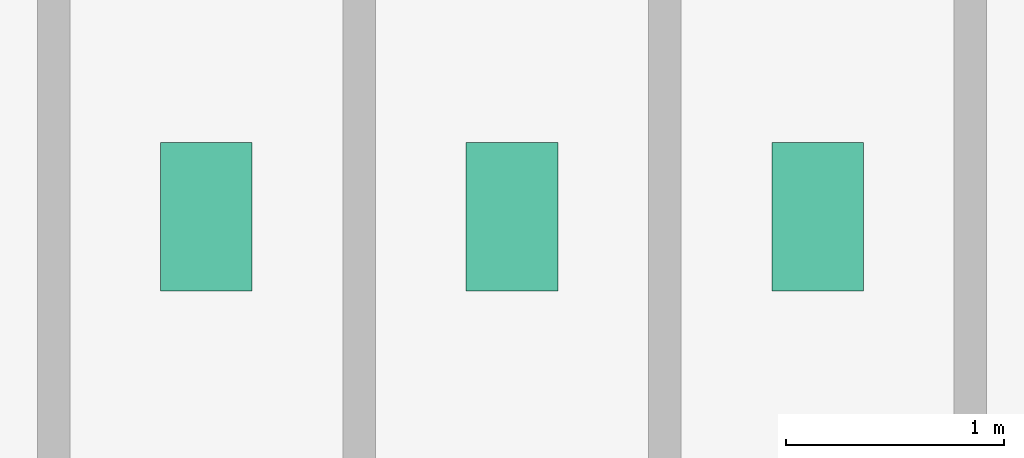
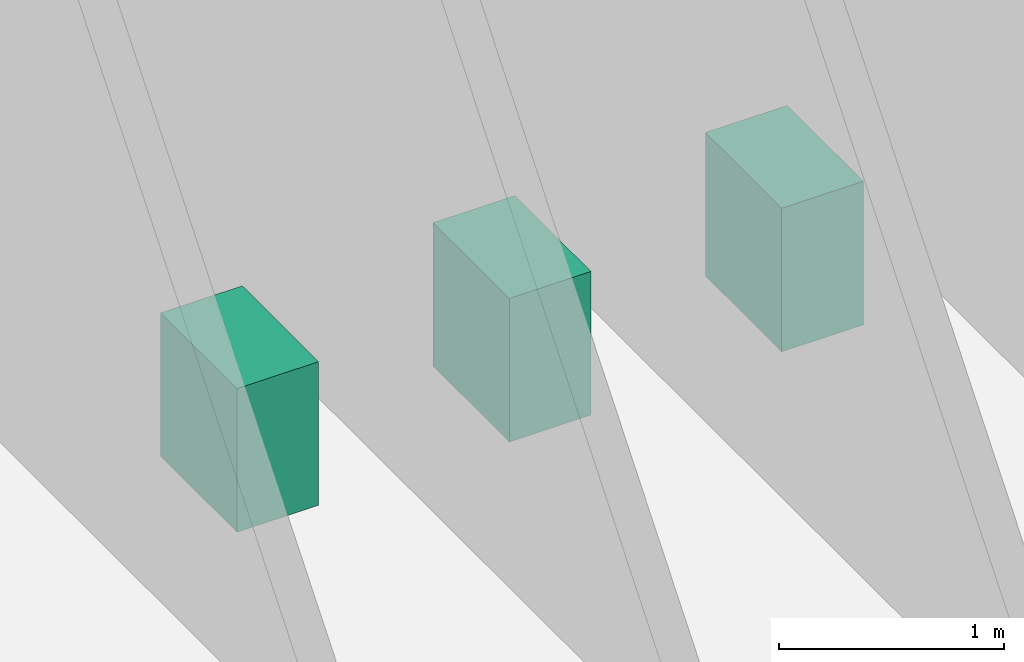
# One storey, part 39 of 39: 3 sanitary terminals.
"""IFC4 building model written with IfcOpenShell, lengths in metres."""

from ifc_helpers import new_model, si_unit, derived_unit, direction, frame, origin, origin_2d, place, context, subcontext, project, spatial, rectangle, extrude, source, transform, mapped, material, type_object, element, save


model = new_model("IFC4")

# Units and contexts
model_context = context("Model", 3, precision=1e-05, world=origin(), true_north=direction((0.0, 1.0)))
body_context = subcontext(model_context, "Body", "Model", "MODEL_VIEW")
ifc_project = project(units=[si_unit("LENGTHUNIT", "METRE"), si_unit("AREAUNIT", "SQUARE_METRE"), si_unit("VOLUMEUNIT", "CUBIC_METRE"), si_unit("PLANEANGLEUNIT", "RADIAN"), si_unit("MASSUNIT", "GRAM", prefix="KILO"), derived_unit("THERMALTRANSMITTANCEUNIT", [(si_unit("POWERUNIT", "WATT"), 1), (si_unit("LENGTHUNIT", "METRE"), -2), (si_unit("THERMODYNAMICTEMPERATUREUNIT", "KELVIN"), -1)])], contexts=[model_context])

# Site, building, storey
site_placement = place(None, origin())
site = spatial("IfcSite", under=ifc_project, at=site_placement, CompositionType="ELEMENT")
building_placement = place(site_placement, origin())
building = spatial("IfcBuilding", under=site, at=building_placement, Name="Skarnbrae Concourse Arena and Tower", CompositionType="ELEMENT")
storey_placement = place(building_placement, frame((0.0, 0.0, 16.0)))
storey = spatial("IfcBuildingStorey", under=building, at=storey_placement, Name="L03", CompositionType="ELEMENT", Elevation=16.0)

# Sanitary terminals
ifc_material = material(Name="Vitreous china sanitaryware", Category="other")
sanitary_terminal_type = type_object("IfcSanitaryTerminalType", Name="SAN-WC-VITREOUS", PredefinedType="TOILETPAN", material=ifc_material)
shared_shape = source(origin(), body_context, "Body", "SweptSolid", [
    extrude(rectangle(XDim=0.419921875, YDim=0.679931640625, at=origin_2d()), origin(), (0.0, 0.0, 1.0), 0.780029296875),
])
for number, where, z_axis, x_axis, name in (
    (1, (44.199951171875, 9.0, 0.0), (0.0, 0.0, 1.0), (1.0, 0.0, 0.0), "L03 Vitreous china WC fixture 1"),
    (2, (45.60009765625, 9.0, 0.0), (0.0, 0.0, 1.0), (1.0, 0.0, 0.0), "L03 Vitreous china WC fixture 2"),
    (3, (47.0, 9.0, 0.0), (0.0, 0.0, 1.0), (1.0, 0.0, 0.0), "L03 Vitreous china WC fixture 3"),
):
    element("IfcSanitaryTerminal", number, at=place(storey_placement, frame(where, z_axis=z_axis, x_axis=x_axis)), inside=storey, type_object=sanitary_terminal_type, Name=name, PredefinedType="TOILETPAN", context=body_context, shape_type="MappedRepresentation", body=[
        mapped(shared_shape, transform((0.0, 0.0, 0.0))),
    ])

save(model, "model.ifc")
